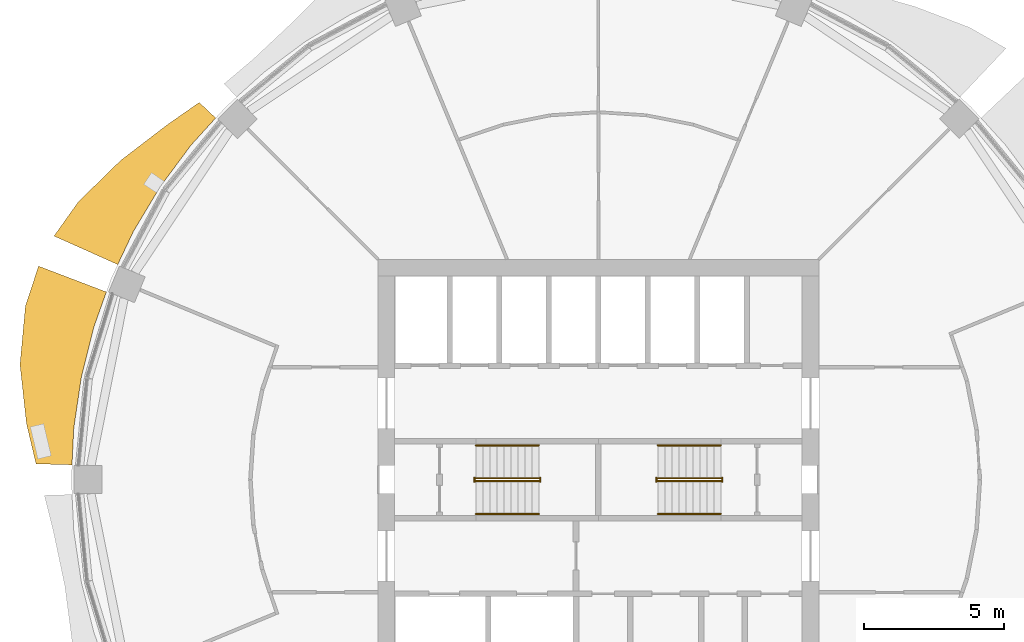
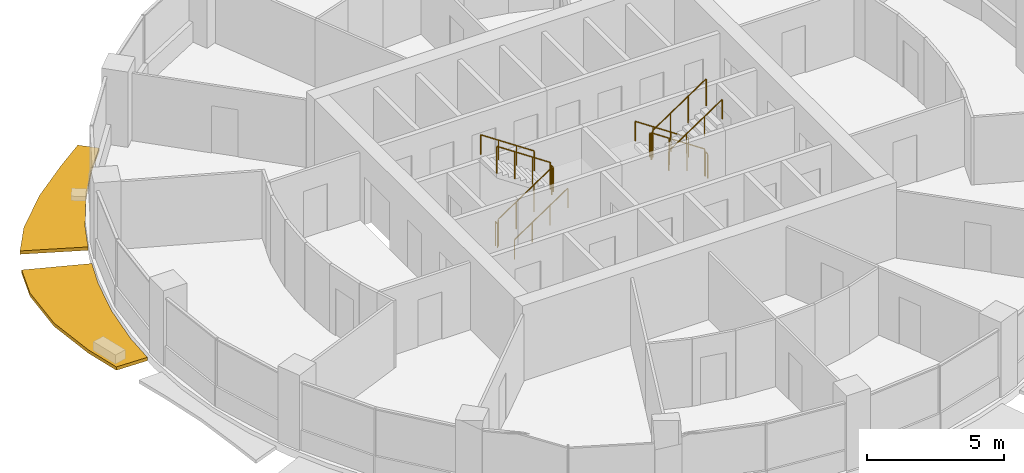
# One storey, part 13 of 15: 12 railings, 2 shading devices.
"""IFC4 building model written with IfcOpenShell, lengths in metres."""

import ifcopenshell
import ifcopenshell.guid

model = None  # the IFC model being written
_history = None  # IfcOwnerHistory: only IFC2X3 demands one
_inside = {}  # id of a spatial element -> (the spatial element, [elements in it])
_under = {}  # id of a project, library or spatial element -> (it, [spatial elements below it])
_declared = {}  # id of a project -> (the project, [libraries it declares])
_typed = {}  # id of a type object -> (the type object, [elements of that type])
_made_of = {}  # id of a material, layer set ... -> (it, [elements and type objects made of it])


def new_model(schema):
    """Start an empty IFC model of exactly this schema.

    Asked for "IFC4X3", IfcOpenShell would pick the latest addendum, in which some entities
    have other attributes; the version numbers below select the first issue.
    IFC2X3 requires an IfcOwnerHistory on every rooted entity: one is made here for all.
    """
    global model, _history
    if schema == "IFC4X3":
        model = ifcopenshell.file(schema_version=(4, 3, 0, 0))
    else:
        model = ifcopenshell.file(schema=schema)
    _inside.clear()
    _under.clear()
    _declared.clear()
    _typed.clear()
    _made_of.clear()
    _history = None
    if model.schema == "IFC2X3":
        org = make("IfcOrganization", Name="unknown")
        user = make(
            "IfcPersonAndOrganization",
            ThePerson=make("IfcPerson", FamilyName="unknown"),
            TheOrganization=org,
        )
        app = make(
            "IfcApplication",
            ApplicationDeveloper=org,
            Version="unknown",
            ApplicationFullName="unknown",
            ApplicationIdentifier="unknown",
        )
        _history = make(
            "IfcOwnerHistory",
            OwningUser=user,
            OwningApplication=app,
            ChangeAction="ADDED",
            CreationDate=0,
        )
    return model


def make(cls, **values):
    """One entity of the class cls with the attributes given. An attribute that is None is left unset."""
    return model.create_entity(
        cls, **{name: value for name, value in values.items() if value is not None}
    )


def rooted(cls, **values):
    """An entity with a GlobalId (a new one), such as an element, a storey or a relation."""
    return make(cls, GlobalId=ifcopenshell.guid.new(), OwnerHistory=_history, **values)


def si_unit(unit_type, name, prefix=None):
    """IfcSIUnit, for example si_unit("LENGTHUNIT", "METRE", prefix="MILLI")."""
    return make("IfcSIUnit", UnitType=unit_type, Prefix=prefix, Name=name)


def assignment(units):
    """IfcUnitAssignment: the units of a project."""
    return None if units is None else make("IfcUnitAssignment", Units=units)


def point(xyz):
    """IfcCartesianPoint."""
    return None if xyz is None else make("IfcCartesianPoint", Coordinates=xyz)


def direction(xyz):
    """IfcDirection."""
    return None if xyz is None else make("IfcDirection", DirectionRatios=xyz)


def frame(location, z_axis=None, x_axis=None):
    """IfcAxis2Placement3D, a coordinate frame: its origin and axes. An axis left out is left unset."""
    return make(
        "IfcAxis2Placement3D",
        Location=point(location),
        Axis=direction(z_axis),
        RefDirection=direction(x_axis),
    )


def frame_2d(location, x_axis=None):
    """IfcAxis2Placement2D, a coordinate frame in the plane: its origin and x axis."""
    return make(
        "IfcAxis2Placement2D", Location=point(location), RefDirection=direction(x_axis)
    )


def origin():
    """The frame at (0, 0, 0) with its axes left unset."""
    return frame((0.0, 0.0, 0.0))


def origin_2d():
    """The frame at (0, 0) in the plane with its x axis left unset."""
    return frame_2d((0.0, 0.0))


def place(relative_to, where):
    """IfcLocalPlacement: puts the frame where relative to a parent placement (None: the world)."""
    return make(
        "IfcLocalPlacement", PlacementRelTo=relative_to, RelativePlacement=where
    )


def context(
    kind, dimensions, precision=None, world=None, true_north=None, identifier=None
):
    """IfcGeometricRepresentationContext, for example the 3D "Model" context."""
    return make(
        "IfcGeometricRepresentationContext",
        ContextIdentifier=identifier,
        ContextType=kind,
        CoordinateSpaceDimension=dimensions,
        Precision=precision,
        WorldCoordinateSystem=world,
        TrueNorth=true_north,
    )


def subcontext(parent, identifier, kind, view, scale=None):
    """IfcGeometricRepresentationSubContext, for example "Body" below "Model"."""
    return make(
        "IfcGeometricRepresentationSubContext",
        ContextIdentifier=identifier,
        ContextType=kind,
        ParentContext=parent,
        TargetScale=scale,
        TargetView=view,
    )


def project(units=None, contexts=None):
    """IfcProject with its units and contexts."""
    return rooted(
        "IfcProject",
        Name="project",
        RepresentationContexts=contexts,
        UnitsInContext=assignment(units),
    )


def spatial(cls, under=None, at=None, **own):
    """A site, building, storey or space (cls), placed at a placement, below another one or the project."""
    s = rooted(cls, ObjectPlacement=at, **own)
    if under is not None:
        _under.setdefault(under.id(), (under, []))[1].append(s)
    return s


def polyline(points):
    """IfcPolyline through the points."""
    return make("IfcPolyline", Points=[point(p) for p in points])


def profile(cls, at=None, kind="AREA", **sizes):
    """A parametric profile (cls). Its sizes go by their IFC names, for example OverallWidth=200.0."""
    return make(cls, ProfileType=kind, Position=at, **sizes)


def circle(**sizes):
    """IfcCircleProfileDef."""
    return profile("IfcCircleProfileDef", **sizes)


def outline(outer, holes=None, kind="AREA"):
    """IfcArbitraryClosedProfileDef: a profile drawn as a closed curve; with holes, ...WithVoids."""
    if holes is None:
        return make("IfcArbitraryClosedProfileDef", ProfileType=kind, OuterCurve=outer)
    return make(
        "IfcArbitraryProfileDefWithVoids",
        ProfileType=kind,
        OuterCurve=outer,
        InnerCurves=holes,
    )


def extrude(swept, where, along, depth):
    """IfcExtrudedAreaSolid: the profile swept, set in the frame where, extruded along a direction by depth."""
    return make(
        "IfcExtrudedAreaSolid",
        SweptArea=swept,
        Position=where,
        ExtrudedDirection=direction(along),
        Depth=depth,
    )


def shape(context_of_items, identifier, shape_type, items):
    """IfcShapeRepresentation: the items that make up one representation, for example the "Body"."""
    return make(
        "IfcShapeRepresentation",
        ContextOfItems=context_of_items,
        RepresentationIdentifier=identifier,
        RepresentationType=shape_type,
        Items=items,
    )


def material(Name=None, Category=None):
    """IfcMaterial."""
    return make("IfcMaterial", Name=Name, Category=Category)


def made_of(thing, what):
    """Note that an element or type object is made of a material, layer set ...; save() writes the relation."""
    if what is not None:
        _made_of.setdefault(what.id(), (what, []))[1].append(thing)
    return thing


def type_object(cls, material=None, **own):
    """A type object (cls), such as IfcWallType, which elements share."""
    return made_of(rooted(cls, **own), material)


def element(
    cls,
    number,
    at=None,
    inside=None,
    cuts=None,
    type_object=None,
    material=None,
    context=None,
    identifier="Body",
    shape_type=None,
    held_by="IfcProductDefinitionShape",
    body=None,
    shapes=None,
    **own,
):
    """One element of the class cls, such as IfcWall. Its Tag is "e" and its number.

    at: its placement. inside: the storey or other place that contains it. cuts: it is an
    opening in that element (IfcRelVoidsElement). A single representation is given by context,
    identifier, shape_type and body (its items); several are given by shapes. held_by: the class
    of the entity that holds the representations. save() writes the other relations.
    """
    e = rooted(cls, Tag="e%d" % number, ObjectPlacement=at, **own)
    if body is not None:
        shapes = [shape(context, identifier, shape_type, body)]
    if shapes is not None:
        e.Representation = make(held_by, Representations=shapes)
    if inside is not None:
        _inside.setdefault(inside.id(), (inside, []))[1].append(e)
    if cuts is not None:
        rooted(
            "IfcRelVoidsElement", RelatingBuildingElement=cuts, RelatedOpeningElement=e
        )
    if type_object is not None:
        _typed.setdefault(type_object.id(), (type_object, []))[1].append(e)
    return made_of(e, material)


def aggregate(whole, parts):
    """IfcRelAggregates: a whole, such as a stair, and the parts it consists of."""
    return rooted("IfcRelAggregates", RelatingObject=whole, RelatedObjects=parts)


def save(model, path):
    """Write the relations noted so far, then the file.

    IfcRelAggregates (storeys below a building ...), IfcRelContainedInSpatialStructure (elements
    in a storey), IfcRelDefinesByType, IfcRelAssociatesMaterial and IfcRelDeclares: one each for
    every whole, place, type object, material and project.
    """
    for whole, parts in _under.values():
        aggregate(whole, parts)
    for where, things in _inside.values():
        rooted(
            "IfcRelContainedInSpatialStructure",
            RelatedElements=things,
            RelatingStructure=where,
        )
    for kind, things in _typed.values():
        rooted("IfcRelDefinesByType", RelatedObjects=things, RelatingType=kind)
    for what, things in _made_of.values():
        rooted("IfcRelAssociatesMaterial", RelatedObjects=things, RelatingMaterial=what)
    for by, libraries in _declared.values():
        rooted("IfcRelDeclares", RelatingContext=by, RelatedDefinitions=libraries)
    model.write(path)


model = new_model("IFC4")

# Units and contexts
model_context = context("Model", 3, precision=1e-05, world=origin(), true_north=direction((0.0, 1.0)))
body_context = subcontext(model_context, "Body", "Model", "MODEL_VIEW")
ifc_project = project(units=[si_unit("LENGTHUNIT", "METRE"), si_unit("AREAUNIT", "SQUARE_METRE"), si_unit("VOLUMEUNIT", "CUBIC_METRE"), si_unit("PLANEANGLEUNIT", "RADIAN"), si_unit("MASSUNIT", "GRAM", prefix="KILO")], contexts=[model_context])

# Site, building, storey
site_placement = place(None, origin())
site = spatial("IfcSite", under=ifc_project, at=site_placement, CompositionType="ELEMENT")
building_placement = place(site_placement, origin())
building = spatial("IfcBuilding", under=site, at=building_placement, Name="Polderwave Tower", CompositionType="ELEMENT")
storey_placement = place(building_placement, frame((0.0, 0.0, 154.449951171875)))
storey = spatial("IfcBuildingStorey", under=building, at=storey_placement, Name="L41", CompositionType="ELEMENT", Elevation=154.449951171875)

# Railings
ifc_material_1 = material(Name="Stainless steel", Category="steel")
railing_type_1 = type_object("IfcRailingType", Name="Stair guard 1100", PredefinedType="GUARDRAIL", material=ifc_material_1)
railing_1_placement = place(storey_placement, frame((-4.3740234375, -0.051025390625, 0.04736328125)))
element("IfcRailing", 1, at=railing_1_placement, inside=storey, type_object=railing_type_1, Name="L41 ST-A stair guard 1", PredefinedType="GUARDRAIL", context=body_context, shape_type="SweptSolid", body=[
    extrude(circle(Radius=0.02392578125, at=origin_2d()), frame((0.0, 0.0, 1.1962890625), z_axis=(0.830758306289, 0.0, 0.556633305266), x_axis=(0.0, 1.0, 0.0)), (0.0, 0.0, 1.0), 2.708251953125),
    extrude(circle(Radius=0.02392578125, at=origin_2d()), origin(), (0.0, 0.0, 1.0), 1.172119140625),
    extrude(circle(Radius=0.02392578125, at=origin_2d()), frame((0.75, 0.0, 0.50244140625)), (0.0, 0.0, 1.0), 1.172119140625),
    extrude(circle(Radius=0.02392578125, at=origin_2d()), frame((1.5, 0.0, 1.005126953125)), (0.0, 0.0, 1.0), 1.172119140625),
    extrude(circle(Radius=0.02392578125, at=origin_2d()), frame((2.25, 0.0, 1.507568359375)), (0.0, 0.0, 1.0), 1.172119140625),
])
railing_2_placement = place(storey_placement, frame((-2.073974609375, -0.074951171875, 1.675048828125)))
element("IfcRailing", 2, at=railing_2_placement, inside=storey, type_object=railing_type_1, Name="L41 ST-A stair guard 2", PredefinedType="GUARDRAIL", context=body_context, shape_type="SweptSolid", body=[
    extrude(circle(Radius=0.02392578125, at=origin_2d()), frame((0.0, 0.0, 1.076171875), z_axis=(0.0, 1.0, 0.0), x_axis=(-1.0, 0.0, 0.0)), (0.0, 0.0, 1.0), 0.14990234375),
    extrude(circle(Radius=0.02099609375, at=origin_2d()), origin(), (0.0, 0.0, 1.0), 1.052001953125),
    extrude(circle(Radius=0.02099609375, at=origin_2d()), frame((0.0, 0.14990234375, 0.0)), (0.0, 0.0, 1.0), 1.052001953125),
])
railing_3_placement = place(storey_placement, frame((-2.1240234375, 0.051025390625, 1.722412109375)))
element("IfcRailing", 3, at=railing_3_placement, inside=storey, type_object=railing_type_1, Name="L41 ST-A stair guard 3", PredefinedType="GUARDRAIL", context=body_context, shape_type="SweptSolid", body=[
    extrude(circle(Radius=0.02392578125, at=origin_2d()), frame((0.0, 0.0, 1.1962890625), z_axis=(-0.830758306289, 0.0, 0.556633305266), x_axis=(0.0, -1.0, 0.0)), (0.0, 0.0, 1.0), 2.708251953125),
    extrude(circle(Radius=0.02392578125, at=origin_2d()), origin(), (0.0, 0.0, 1.0), 1.172119140625),
    extrude(circle(Radius=0.02392578125, at=origin_2d()), frame((-0.75, 0.0, 0.50244140625)), (0.0, 0.0, 1.0), 1.172119140625),
    extrude(circle(Radius=0.02392578125, at=origin_2d()), frame((-1.5, 0.0, 1.005126953125)), (0.0, 0.0, 1.0), 1.172119140625),
    extrude(circle(Radius=0.02392578125, at=origin_2d()), frame((-2.25, 0.0, 1.507568359375)), (0.0, 0.0, 1.0), 1.172119140625),
])
railing_4_placement = place(storey_placement, frame((-4.424072265625, -0.074951171875, 0.0)))
element("IfcRailing", 4, at=railing_4_placement, inside=storey, type_object=railing_type_1, Name="L41 ST-A stair guard 4", PredefinedType="GUARDRAIL", context=body_context, shape_type="SweptSolid", body=[
    extrude(circle(Radius=0.02392578125, at=origin_2d()), frame((0.0, 0.0, 1.076171875), z_axis=(0.0, 1.0, 0.0), x_axis=(-1.0, 0.0, 0.0)), (0.0, 0.0, 1.0), 0.14990234375),
    extrude(circle(Radius=0.02099609375, at=origin_2d()), origin(), (0.0, 0.0, 1.0), 1.052001953125),
    extrude(circle(Radius=0.02099609375, at=origin_2d()), frame((0.0, 0.14990234375, 0.0)), (0.0, 0.0, 1.0), 1.052001953125),
])
railing_5_placement = place(storey_placement, frame((4.3740234375, 0.051025390625, 0.04736328125)))
element("IfcRailing", 5, at=railing_5_placement, inside=storey, type_object=railing_type_1, Name="L41 ST-B stair guard 1", PredefinedType="GUARDRAIL", context=body_context, shape_type="SweptSolid", body=[
    extrude(circle(Radius=0.02392578125, at=origin_2d()), frame((0.0, 0.0, 1.1962890625), z_axis=(-0.830758306289, 0.0, 0.556633305266), x_axis=(0.0, -1.0, 0.0)), (0.0, 0.0, 1.0), 2.708251953125),
    extrude(circle(Radius=0.02392578125, at=origin_2d()), origin(), (0.0, 0.0, 1.0), 1.172119140625),
    extrude(circle(Radius=0.02392578125, at=origin_2d()), frame((-0.75, 0.0, 0.50244140625)), (0.0, 0.0, 1.0), 1.172119140625),
    extrude(circle(Radius=0.02392578125, at=origin_2d()), frame((-1.5, 0.0, 1.005126953125)), (0.0, 0.0, 1.0), 1.172119140625),
    extrude(circle(Radius=0.02392578125, at=origin_2d()), frame((-2.25, 0.0, 1.507568359375)), (0.0, 0.0, 1.0), 1.172119140625),
])
railing_6_placement = place(storey_placement, frame((2.073974609375, 0.074951171875, 1.675048828125)))
element("IfcRailing", 6, at=railing_6_placement, inside=storey, type_object=railing_type_1, Name="L41 ST-B stair guard 2", PredefinedType="GUARDRAIL", context=body_context, shape_type="SweptSolid", body=[
    extrude(circle(Radius=0.02392578125, at=origin_2d()), frame((0.0, 0.0, 1.076171875), z_axis=(0.0, -1.0, 0.0), x_axis=(1.0, 0.0, 0.0)), (0.0, 0.0, 1.0), 0.14990234375),
    extrude(circle(Radius=0.02099609375, at=origin_2d()), origin(), (0.0, 0.0, 1.0), 1.052001953125),
    extrude(circle(Radius=0.02099609375, at=origin_2d()), frame((0.0, -0.14990234375, 0.0)), (0.0, 0.0, 1.0), 1.052001953125),
])
railing_7_placement = place(storey_placement, frame((2.1240234375, -0.051025390625, 1.722412109375)))
element("IfcRailing", 7, at=railing_7_placement, inside=storey, type_object=railing_type_1, Name="L41 ST-B stair guard 3", PredefinedType="GUARDRAIL", context=body_context, shape_type="SweptSolid", body=[
    extrude(circle(Radius=0.02392578125, at=origin_2d()), frame((0.0, 0.0, 1.1962890625), z_axis=(0.830758306289, 0.0, 0.556633305266), x_axis=(0.0, 1.0, 0.0)), (0.0, 0.0, 1.0), 2.708251953125),
    extrude(circle(Radius=0.02392578125, at=origin_2d()), origin(), (0.0, 0.0, 1.0), 1.172119140625),
    extrude(circle(Radius=0.02392578125, at=origin_2d()), frame((0.75, 0.0, 0.50244140625)), (0.0, 0.0, 1.0), 1.172119140625),
    extrude(circle(Radius=0.02392578125, at=origin_2d()), frame((1.5, 0.0, 1.005126953125)), (0.0, 0.0, 1.0), 1.172119140625),
    extrude(circle(Radius=0.02392578125, at=origin_2d()), frame((2.25, 0.0, 1.507568359375)), (0.0, 0.0, 1.0), 1.172119140625),
])
railing_8_placement = place(storey_placement, frame((4.424072265625, 0.074951171875, 0.0)))
element("IfcRailing", 8, at=railing_8_placement, inside=storey, type_object=railing_type_1, Name="L41 ST-B stair guard 4", PredefinedType="GUARDRAIL", context=body_context, shape_type="SweptSolid", body=[
    extrude(circle(Radius=0.02392578125, at=origin_2d()), frame((0.0, 0.0, 1.076171875), z_axis=(0.0, -1.0, 0.0), x_axis=(1.0, 0.0, 0.0)), (0.0, 0.0, 1.0), 0.14990234375),
    extrude(circle(Radius=0.02099609375, at=origin_2d()), origin(), (0.0, 0.0, 1.0), 1.052001953125),
    extrude(circle(Radius=0.02099609375, at=origin_2d()), frame((0.0, -0.14990234375, 0.0)), (0.0, 0.0, 1.0), 1.052001953125),
])
railing_type_2 = type_object("IfcRailingType", Name="Stair handrail 900", PredefinedType="HANDRAIL", material=ifc_material_1)
railing_9_placement = place(storey_placement, frame((-4.3740234375, -1.22509765625, 0.16748046875)))
element("IfcRailing", 9, at=railing_9_placement, inside=storey, type_object=railing_type_2, Name="L41 ST-A stair handrail 1", PredefinedType="HANDRAIL", context=body_context, shape_type="SweptSolid", body=[
    extrude(circle(Radius=0.02392578125, at=origin_2d()), frame((0.0, 0.0, 0.8759765625), z_axis=(0.830758306289, 0.0, 0.556633305266), x_axis=(0.0, 1.0, 0.0)), (0.0, 0.0, 1.0), 2.708251953125),
    extrude(circle(Radius=0.02099609375, at=origin_2d()), origin(), (0.0, 0.0, 1.0), 0.851806640625),
    extrude(circle(Radius=0.02099609375, at=origin_2d()), frame((0.75, 0.0, 0.50244140625)), (0.0, 0.0, 1.0), 0.851806640625),
    extrude(circle(Radius=0.02099609375, at=origin_2d()), frame((1.5, 0.0, 1.005126953125)), (0.0, 0.0, 1.0), 0.851806640625),
    extrude(circle(Radius=0.02099609375, at=origin_2d()), frame((2.25, 0.0, 1.507568359375)), (0.0, 0.0, 1.0), 0.851806640625),
])
for number, where, name in (
    (10, (-2.1240234375, 1.22509765625, 1.842529296875), "L41 ST-A stair handrail 2"),
    (11, (4.3740234375, 1.22509765625, 0.16748046875), "L41 ST-B stair handrail 1"),
):
    element("IfcRailing", number, at=place(storey_placement, frame(where)), inside=storey, type_object=railing_type_2, Name=name, PredefinedType="HANDRAIL", context=body_context, shape_type="SweptSolid", body=[
        extrude(circle(Radius=0.02392578125, at=origin_2d()), frame((0.0, 0.0, 0.8759765625), z_axis=(-0.830758306289, 0.0, 0.556633305266), x_axis=(0.0, -1.0, 0.0)), (0.0, 0.0, 1.0), 2.708251953125),
        extrude(circle(Radius=0.02099609375, at=origin_2d()), origin(), (0.0, 0.0, 1.0), 0.851806640625),
        extrude(circle(Radius=0.02099609375, at=origin_2d()), frame((-0.75, 0.0, 0.50244140625)), (0.0, 0.0, 1.0), 0.851806640625),
        extrude(circle(Radius=0.02099609375, at=origin_2d()), frame((-1.5, 0.0, 1.005126953125)), (0.0, 0.0, 1.0), 0.851806640625),
        extrude(circle(Radius=0.02099609375, at=origin_2d()), frame((-2.25, 0.0, 1.507568359375)), (0.0, 0.0, 1.0), 0.851806640625),
    ])
railing_10_placement = place(storey_placement, frame((2.1240234375, -1.22509765625, 1.842529296875)))
element("IfcRailing", 12, at=railing_10_placement, inside=storey, type_object=railing_type_2, Name="L41 ST-B stair handrail 2", PredefinedType="HANDRAIL", context=body_context, shape_type="SweptSolid", body=[
    extrude(circle(Radius=0.02392578125, at=origin_2d()), frame((0.0, 0.0, 0.8759765625), z_axis=(0.830758306289, 0.0, 0.556633305266), x_axis=(0.0, 1.0, 0.0)), (0.0, 0.0, 1.0), 2.708251953125),
    extrude(circle(Radius=0.02099609375, at=origin_2d()), origin(), (0.0, 0.0, 1.0), 0.851806640625),
    extrude(circle(Radius=0.02099609375, at=origin_2d()), frame((0.75, 0.0, 0.50244140625)), (0.0, 0.0, 1.0), 0.851806640625),
    extrude(circle(Radius=0.02099609375, at=origin_2d()), frame((1.5, 0.0, 1.005126953125)), (0.0, 0.0, 1.0), 0.851806640625),
    extrude(circle(Radius=0.02099609375, at=origin_2d()), frame((2.25, 0.0, 1.507568359375)), (0.0, 0.0, 1.0), 0.851806640625),
])

# Shading devices
ifc_material_2 = material(Name="Terracotta", Category="masonry")
shading_device_type = type_object("IfcShadingDeviceType", Name="Terracotta sunshade band", PredefinedType="USERDEFINED", material=ifc_material_2)
shading_device_1_placement = place(storey_placement, frame((0.0, 0.0, -0.349853515625)))
element("IfcShadingDevice", 13, at=shading_device_1_placement, inside=storey, type_object=shading_device_type, Name="Sunshade band L41 7", ObjectType="SUNSHADE", PredefinedType="USERDEFINED", context=body_context, shape_type="SweptSolid", body=[
    extrude(outline(polyline([(-13.67138671875, 12.92138671875), (-14.555908203125, 11.945556640625), (-15.656494140625, 10.46142578125), (-16.606689453125, 8.87646484375), (-17.169677734375, 7.685791015625), (-19.445556640625, 8.70458984375), (-18.57568359375, 9.928955078125), (-17.06689453125, 11.40380859375), (-15.427001953125, 12.660400390625), (-14.25927734375, 13.47705078125), (-13.67138671875, 12.92138671875)])), origin(), (0.0, 0.0, 1.0), 0.14990234375),
])
shading_device_2_placement = place(storey_placement, frame((0.0, 0.0, -0.349853515625)))
element("IfcShadingDevice", 14, at=shading_device_2_placement, inside=storey, type_object=shading_device_type, Name="Sunshade band L41 8", ObjectType="SUNSHADE", PredefinedType="USERDEFINED", context=body_context, shape_type="SweptSolid", body=[
    extrude(outline(polyline([(-17.575439453125, 6.7060546875), (-18.019287109375, 5.466064453125), (-18.46826171875, 3.673583984375), (-18.7392578125, 1.845703125), (-18.803955078125, 0.5302734375), (-20.089111328125, 0.56640625), (-20.43115234375, 2.01220703125), (-20.6611328125, 4.10986328125), (-20.466552734375, 6.20849609375), (-19.9970703125, 7.6298828125), (-17.575439453125, 6.7060546875)])), origin(), (0.0, 0.0, 1.0), 0.14990234375),
])

save(model, "model.ifc")
